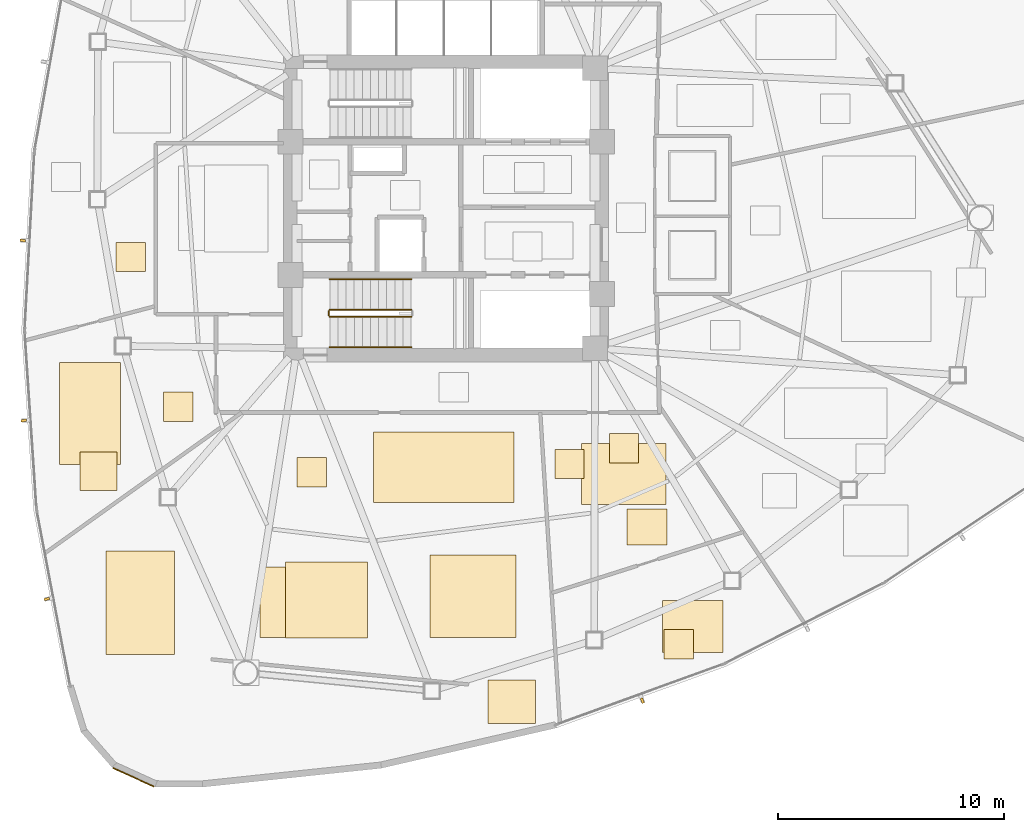
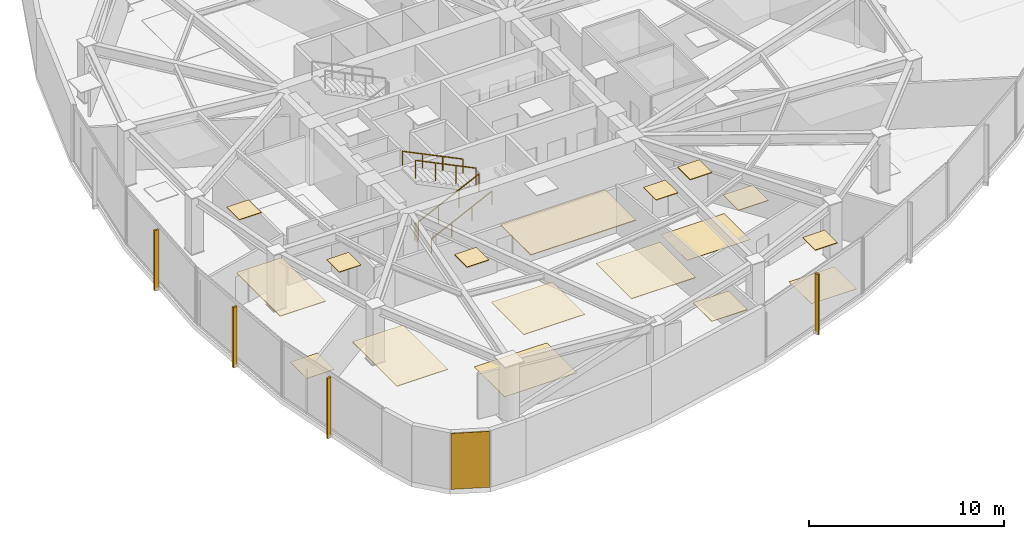
# One storey, part 14 of 17: 18 coverings, 5 railings, 4 shading devices.
"""IFC4 building model written with IfcOpenShell, lengths in metres."""

from ifc_helpers import new_model, si_unit, direction, frame, origin, origin_2d, place, context, subcontext, project, spatial, polyline, rectangle, outline, extrude, source, transform, mapped, material, layer, layer_set, type_object, type_shapes, element, save


model = new_model("IFC4")

# Units and contexts
model_context = context("Model", 3, precision=1e-05, world=origin(), true_north=direction((0.0, 1.0)))
body_context = subcontext(model_context, "Body", "Model", "MODEL_VIEW")
ifc_project = project(units=[si_unit("LENGTHUNIT", "METRE"), si_unit("AREAUNIT", "SQUARE_METRE"), si_unit("VOLUMEUNIT", "CUBIC_METRE"), si_unit("PLANEANGLEUNIT", "RADIAN"), si_unit("MASSUNIT", "GRAM", prefix="KILO")], contexts=[model_context])

# Site, building, storey
site_placement = place(None, origin())
site = spatial("IfcSite", under=ifc_project, at=site_placement, CompositionType="ELEMENT")
building_placement = place(site_placement, origin())
building = spatial("IfcBuilding", under=site, at=building_placement, Name="Tavelor Broadcast Tower", CompositionType="ELEMENT")
storey_placement = place(building_placement, frame((0.0, 0.0, 131.0)))
storey = spatial("IfcBuildingStorey", under=building, at=storey_placement, Name="L30", CompositionType="ELEMENT", Elevation=131.0)

# Covering
ifc_material_1 = material(Name="Copper-Bronze Anodized Aluminium", Category="aluminium")
ifc_layer_1 = layer(ifc_material_1, 0.050048828125)
ifc_layer_set_1 = layer_set([ifc_layer_1], Name="Copper-Bronze Anodized Aluminium")
covering_type_1 = type_object("IfcCoveringType", Name="Champagne-Bronze Corner Pier Metal Cladding 50 mm", PredefinedType="CLADDING", material=ifc_layer_set_1)
covering_1_placement = place(storey_placement, frame((36.15380859375, 19.7919921875, 0.02001953125), z_axis=(0.0, 0.0, 1.0), x_axis=(0.910322812467, -0.413898993841, 0.0)))
element("IfcCovering", 1, at=covering_1_placement, inside=storey, type_object=covering_type_1, Name="L30 Champagne-Bronze Corner Cladding 13", PredefinedType="CLADDING", context=body_context, shape_type="SweptSolid", body=[
    extrude(rectangle(XDim=1.993896484375, YDim=0.050048828125, at=origin_2d()), origin(), (0.0, 0.0, 1.0), 3.510009765625),
])

# Railings
ifc_material_2 = material(Name="Steel S355", Category="steel")
railing_type_1 = type_object("IfcRailingType", Name="Continuous Brushed Stainless Handrail 900 mm", PredefinedType="HANDRAIL", material=ifc_material_2)
railing_1_placement = place(storey_placement, frame((44.85009765625, 38.85009765625, 0.175048828125)))
element("IfcRailing", 2, at=railing_1_placement, inside=storey, type_object=railing_type_1, Name="L30 ST2 stair handrail 1", PredefinedType="HANDRAIL", context=body_context, shape_type="SweptSolid", body=[
    extrude(rectangle(XDim=0.048095703125, YDim=0.048095703125, at=origin_2d()), frame((0.0, 0.0, 0.8759765625), z_axis=(0.899360859046, 0.0, 0.437207096483), x_axis=(0.0, 1.0, 0.0)), (0.0, 0.0, 1.0), 4.002685546875),
    extrude(rectangle(XDim=0.0419921875, YDim=0.0419921875, at=origin_2d()), origin(), (0.0, 0.0, 1.0), 0.851806640625),
    extrude(rectangle(XDim=0.0419921875, YDim=0.0419921875, at=origin_2d()), frame((1.199951171875, 0.0, 0.583251953125)), (0.0, 0.0, 1.0), 0.851806640625),
    extrude(rectangle(XDim=0.0419921875, YDim=0.0419921875, at=origin_2d()), frame((2.39990234375, 0.0, 1.166748046875)), (0.0, 0.0, 1.0), 0.851806640625),
    extrude(rectangle(XDim=0.0419921875, YDim=0.0419921875, at=origin_2d()), frame((3.599853515625, 0.0, 1.75)), (0.0, 0.0, 1.0), 0.851806640625),
])
railing_2_placement = place(storey_placement, frame((48.449951171875, 41.85009765625, 2.10009765625)))
element("IfcRailing", 3, at=railing_2_placement, inside=storey, type_object=railing_type_1, Name="L30 ST2 stair handrail 2", PredefinedType="HANDRAIL", context=body_context, shape_type="SweptSolid", body=[
    extrude(rectangle(XDim=0.048095703125, YDim=0.048095703125, at=origin_2d()), frame((0.0, 0.0, 0.8759765625), z_axis=(-0.899360859046, 0.0, 0.437207096483), x_axis=(0.0, -1.0, 0.0)), (0.0, 0.0, 1.0), 4.002685546875),
    extrude(rectangle(XDim=0.0419921875, YDim=0.0419921875, at=origin_2d()), origin(), (0.0, 0.0, 1.0), 0.851806640625),
    extrude(rectangle(XDim=0.0419921875, YDim=0.0419921875, at=origin_2d()), frame((-1.199951171875, 0.0, 0.583251953125)), (0.0, 0.0, 1.0), 0.851806640625),
    extrude(rectangle(XDim=0.0419921875, YDim=0.0419921875, at=origin_2d()), frame((-2.39990234375, 0.0, 1.166748046875)), (0.0, 0.0, 1.0), 0.851806640625),
    extrude(rectangle(XDim=0.0419921875, YDim=0.0419921875, at=origin_2d()), frame((-3.599853515625, 0.0, 1.75)), (0.0, 0.0, 1.0), 0.851806640625),
])

# Coverings
ifc_material_3 = material(Name="Acoustic Nylon Carpet Tile")
ifc_layer_2 = layer(ifc_material_3, 0.02001953125)
ifc_layer_set_2 = layer_set([ifc_layer_2], Name="Acoustic Nylon Carpet Tile")
covering_type_2 = type_object("IfcCoveringType", Name="Heavy-Duty Acoustic Broadcast Carpet Tile 20 mm", PredefinedType="FLOORING", material=ifc_layer_set_2)
covering_2_placement = place(storey_placement, origin())
element("IfcCovering", 4, at=covering_2_placement, inside=storey, type_object=covering_type_2, Name="L30 Broadcast Floor Finish 0425", PredefinedType="FLOORING", context=body_context, shape_type="SweptSolid", body=[
    extrude(outline(polyline([(59.580078125, 25.3251953125), (62.260009765625, 25.3251953125), (62.260009765625, 27.614501953125), (59.580078125, 27.614501953125), (59.580078125, 25.3251953125)])), origin(), (0.0, 0.0, 1.0), 0.02001953125),
])
covering_3_placement = place(storey_placement, origin())
element("IfcCovering", 5, at=covering_3_placement, inside=storey, type_object=covering_type_2, Name="L30 Broadcast Floor Finish 0426", PredefinedType="FLOORING", context=body_context, shape_type="SweptSolid", body=[
    extrude(outline(polyline([(41.755859375, 25.99462890625), (46.07421875, 25.99462890625), (46.07421875, 29.103759765625), (41.755859375, 29.103759765625), (41.755859375, 25.99462890625)])), origin(), (0.0, 0.0, 1.0), 0.02001953125),
])
covering_4_placement = place(storey_placement, origin())
element("IfcCovering", 6, at=covering_4_placement, inside=storey, type_object=covering_type_2, Name="L30 Broadcast Floor Finish 0427", PredefinedType="FLOORING", context=body_context, shape_type="SweptSolid", body=[
    extrude(outline(polyline([(33.7841796875, 32.49853515625), (35.410400390625, 32.49853515625), (35.410400390625, 34.20263671875), (33.7841796875, 34.20263671875), (33.7841796875, 32.49853515625)])), origin(), (0.0, 0.0, 1.0), 0.02001953125),
])
covering_5_placement = place(storey_placement, origin())
element("IfcCovering", 7, at=covering_5_placement, inside=storey, type_object=covering_type_2, Name="L30 Broadcast Floor Finish 0432", PredefinedType="FLOORING", context=body_context, shape_type="SweptSolid", body=[
    extrude(outline(polyline([(55.988037109375, 31.8876953125), (59.751708984375, 31.8876953125), (59.751708984375, 34.5693359375), (55.988037109375, 34.5693359375), (55.988037109375, 31.8876953125)])), origin(), (0.0, 0.0, 1.0), 0.02001953125),
])

# Railings
railing_type_2 = type_object("IfcRailingType", Name="Stairwell Steel Safety Guardrail 1150 mm", PredefinedType="GUARDRAIL", material=ifc_material_2)
railing_3_placement = place(storey_placement, frame((44.85009765625, 40.199951171875, 0.175048828125)))
element("IfcRailing", 8, at=railing_3_placement, inside=storey, type_object=railing_type_2, Name="L30 ST2 stair guard 1", PredefinedType="GUARDRAIL", context=body_context, shape_type="SweptSolid", body=[
    extrude(rectangle(XDim=0.048095703125, YDim=0.048095703125, at=origin_2d()), frame((0.0, 0.0, 1.1259765625), z_axis=(0.899360859046, 0.0, 0.437207096483), x_axis=(0.0, 1.0, 0.0)), (0.0, 0.0, 1.0), 4.002685546875),
    extrude(rectangle(XDim=0.0419921875, YDim=0.0419921875, at=origin_2d()), origin(), (0.0, 0.0, 1.0), 1.101806640625),
    extrude(rectangle(XDim=0.0419921875, YDim=0.0419921875, at=origin_2d()), frame((1.199951171875, 0.0, 0.583251953125)), (0.0, 0.0, 1.0), 1.101806640625),
    extrude(rectangle(XDim=0.0419921875, YDim=0.0419921875, at=origin_2d()), frame((2.39990234375, 0.0, 1.166748046875)), (0.0, 0.0, 1.0), 1.101806640625),
    extrude(rectangle(XDim=0.0419921875, YDim=0.0419921875, at=origin_2d()), frame((3.599853515625, 0.0, 1.75)), (0.0, 0.0, 1.0), 1.101806640625),
])
railing_4_placement = place(storey_placement, frame((48.449951171875, 40.5, 2.10009765625)))
element("IfcRailing", 9, at=railing_4_placement, inside=storey, type_object=railing_type_2, Name="L30 ST2 stair guard 3", PredefinedType="GUARDRAIL", context=body_context, shape_type="SweptSolid", body=[
    extrude(rectangle(XDim=0.048095703125, YDim=0.048095703125, at=origin_2d()), frame((0.0, 0.0, 1.1259765625), z_axis=(-0.899360859046, 0.0, 0.437207096483), x_axis=(0.0, -1.0, 0.0)), (0.0, 0.0, 1.0), 4.002685546875),
    extrude(rectangle(XDim=0.0419921875, YDim=0.0419921875, at=origin_2d()), origin(), (0.0, 0.0, 1.0), 1.101806640625),
    extrude(rectangle(XDim=0.0419921875, YDim=0.0419921875, at=origin_2d()), frame((-1.199951171875, 0.0, 0.583251953125)), (0.0, 0.0, 1.0), 1.101806640625),
    extrude(rectangle(XDim=0.0419921875, YDim=0.0419921875, at=origin_2d()), frame((-2.39990234375, 0.0, 1.166748046875)), (0.0, 0.0, 1.0), 1.101806640625),
    extrude(rectangle(XDim=0.0419921875, YDim=0.0419921875, at=origin_2d()), frame((-3.599853515625, 0.0, 1.75)), (0.0, 0.0, 1.0), 1.101806640625),
])
railing_5_placement = place(storey_placement, frame((44.800048828125, 40.25, 0.0)))
element("IfcRailing", 10, at=railing_5_placement, inside=storey, type_object=railing_type_2, Name="L30 ST2 stair guard 4", PredefinedType="GUARDRAIL", context=body_context, shape_type="SweptSolid", body=[
    extrude(rectangle(XDim=0.048095703125, YDim=0.048095703125, at=origin_2d()), frame((0.0, 0.0, 1.1259765625), z_axis=(0.0, 1.0, 0.0), x_axis=(-1.0, 0.0, 0.0)), (0.0, 0.0, 1.0), 0.199951171875),
    extrude(rectangle(XDim=0.0419921875, YDim=0.0419921875, at=origin_2d()), origin(), (0.0, 0.0, 1.0), 1.101806640625),
    extrude(rectangle(XDim=0.0419921875, YDim=0.0419921875, at=origin_2d()), frame((0.0, 0.199951171875, 0.0)), (0.0, 0.0, 1.0), 1.101806640625),
])

# Coverings
ifc_material_4 = material(Name="Acoustic Mineral Fibre Tile")
ifc_layer_3 = layer(ifc_material_4, 0.0400390625)
ifc_layer_set_3 = layer_set([ifc_layer_3], Name="Acoustic Mineral Fibre Tile")
covering_type_3 = type_object("IfcCoveringType", Name="Suspended Acoustic Mineral-Fibre Office Ceiling 40 mm", PredefinedType="CEILING", material=ifc_layer_set_3)
covering_6_placement = place(storey_placement, frame((0.0, 0.0, 3.510009765625)))
element("IfcCovering", 11, at=covering_6_placement, inside=storey, type_object=covering_type_3, Name="L30 Suspended Acoustic Ceiling 1200", PredefinedType="CEILING", context=body_context, shape_type="SweptSolid", body=[
    extrude(outline(polyline([(59.65087890625, 25.038330078125), (60.950927734375, 25.038330078125), (60.950927734375, 26.33837890625), (59.65087890625, 26.33837890625), (59.65087890625, 25.038330078125)])), origin(), (0.0, 0.0, 1.0), 0.0400390625),
])
covering_7_placement = place(storey_placement, frame((0.0, 0.0, 3.510009765625)))
element("IfcCovering", 12, at=covering_7_placement, inside=storey, type_object=covering_type_3, Name="L30 Suspended Acoustic Ceiling 1201", PredefinedType="CEILING", context=body_context, shape_type="SweptSolid", body=[
    extrude(outline(polyline([(34.9345703125, 25.22509765625), (37.95947265625, 25.22509765625), (37.95947265625, 29.8203125), (34.9345703125, 29.8203125), (34.9345703125, 25.22509765625)])), origin(), (0.0, 0.0, 1.0), 0.0400390625),
])
covering_8_placement = place(storey_placement, frame((0.0, 0.0, 3.510009765625)))
element("IfcCovering", 13, at=covering_8_placement, inside=storey, type_object=covering_type_3, Name="L30 Suspended Acoustic Ceiling 1202", PredefinedType="CEILING", context=body_context, shape_type="SweptSolid", body=[
    extrude(outline(polyline([(43.39013671875, 32.662353515625), (44.690185546875, 32.662353515625), (44.690185546875, 33.96240234375), (43.39013671875, 33.96240234375), (43.39013671875, 32.662353515625)])), origin(), (0.0, 0.0, 1.0), 0.0400390625),
])
covering_9_placement = place(storey_placement, frame((0.0, 0.0, 3.510009765625)))
element("IfcCovering", 14, at=covering_9_placement, inside=storey, type_object=covering_type_3, Name="L30 Suspended Acoustic Ceiling 1203", PredefinedType="CEILING", context=body_context, shape_type="SweptSolid", body=[
    extrude(outline(polyline([(46.772216796875, 31.96875), (53.010498046875, 31.96875), (53.010498046875, 35.09521484375), (46.772216796875, 35.09521484375), (46.772216796875, 31.96875)])), origin(), (0.0, 0.0, 1.0), 0.0400390625),
])
covering_10_placement = place(storey_placement, frame((0.0, 0.0, 3.510009765625)))
element("IfcCovering", 15, at=covering_10_placement, inside=storey, type_object=covering_type_3, Name="L30 Suspended Acoustic Ceiling 1204", PredefinedType="CEILING", context=body_context, shape_type="SweptSolid", body=[
    extrude(outline(polyline([(49.29248046875, 25.986083984375), (53.099365234375, 25.986083984375), (53.099365234375, 29.63671875), (49.29248046875, 29.63671875), (49.29248046875, 25.986083984375)])), origin(), (0.0, 0.0, 1.0), 0.0400390625),
])
covering_11_placement = place(storey_placement, frame((0.0, 0.0, 3.510009765625)))
element("IfcCovering", 16, at=covering_11_placement, inside=storey, type_object=covering_type_3, Name="L30 Suspended Acoustic Ceiling 1205", PredefinedType="CEILING", context=body_context, shape_type="SweptSolid", body=[
    extrude(outline(polyline([(51.84814453125, 22.16796875), (53.9638671875, 22.16796875), (53.9638671875, 24.096923828125), (51.84814453125, 24.096923828125), (51.84814453125, 22.16796875)])), origin(), (0.0, 0.0, 1.0), 0.0400390625),
])
covering_12_placement = place(storey_placement, frame((0.0, 0.0, 3.510009765625)))
element("IfcCovering", 17, at=covering_12_placement, inside=storey, type_object=covering_type_3, Name="L30 Suspended Acoustic Ceiling 1206", PredefinedType="CEILING", context=body_context, shape_type="SweptSolid", body=[
    extrude(outline(polyline([(42.89306640625, 25.97314453125), (46.523193359375, 25.97314453125), (46.523193359375, 29.3203125), (42.89306640625, 29.3203125), (42.89306640625, 25.97314453125)])), origin(), (0.0, 0.0, 1.0), 0.0400390625),
])
covering_13_placement = place(storey_placement, frame((0.0, 0.0, 3.510009765625)))
element("IfcCovering", 18, at=covering_13_placement, inside=storey, type_object=covering_type_3, Name="L30 Suspended Acoustic Ceiling 1207", PredefinedType="CEILING", context=body_context, shape_type="SweptSolid", body=[
    extrude(outline(polyline([(32.873046875, 33.65771484375), (35.583740234375, 33.65771484375), (35.583740234375, 38.164794921875), (32.873046875, 38.164794921875), (32.873046875, 33.65771484375)])), origin(), (0.0, 0.0, 1.0), 0.0400390625),
])
covering_14_placement = place(storey_placement, frame((0.0, 0.0, 3.510009765625)))
element("IfcCovering", 19, at=covering_14_placement, inside=storey, type_object=covering_type_3, Name="L30 Suspended Acoustic Ceiling 1208", PredefinedType="CEILING", context=body_context, shape_type="SweptSolid", body=[
    extrude(outline(polyline([(37.4755859375, 35.554443359375), (38.775634765625, 35.554443359375), (38.775634765625, 36.8544921875), (37.4755859375, 36.8544921875), (37.4755859375, 35.554443359375)])), origin(), (0.0, 0.0, 1.0), 0.0400390625),
])
covering_15_placement = place(storey_placement, frame((0.0, 0.0, 3.510009765625)))
element("IfcCovering", 20, at=covering_15_placement, inside=storey, type_object=covering_type_3, Name="L30 Suspended Acoustic Ceiling 1211", PredefinedType="CEILING", context=body_context, shape_type="SweptSolid", body=[
    extrude(outline(polyline([(35.3818359375, 42.193115234375), (36.681884765625, 42.193115234375), (36.681884765625, 43.4931640625), (35.3818359375, 43.4931640625), (35.3818359375, 42.193115234375)])), origin(), (0.0, 0.0, 1.0), 0.0400390625),
])
covering_16_placement = place(storey_placement, frame((0.0, 0.0, 3.510009765625)))
element("IfcCovering", 21, at=covering_16_placement, inside=storey, type_object=covering_type_3, Name="L30 Suspended Acoustic Ceiling 1233", PredefinedType="CEILING", context=body_context, shape_type="SweptSolid", body=[
    extrude(outline(polyline([(58.010986328125, 30.0927734375), (59.7939453125, 30.0927734375), (59.7939453125, 31.68603515625), (58.010986328125, 31.68603515625), (58.010986328125, 30.0927734375)])), origin(), (0.0, 0.0, 1.0), 0.0400390625),
])
covering_17_placement = place(storey_placement, frame((0.0, 0.0, 3.510009765625)))
element("IfcCovering", 22, at=covering_17_placement, inside=storey, type_object=covering_type_3, Name="L30 Suspended Acoustic Ceiling 1234", PredefinedType="CEILING", context=body_context, shape_type="SweptSolid", body=[
    extrude(outline(polyline([(54.813720703125, 33.01953125), (56.113525390625, 33.01953125), (56.113525390625, 34.319580078125), (54.813720703125, 34.319580078125), (54.813720703125, 33.01953125)])), origin(), (0.0, 0.0, 1.0), 0.0400390625),
])
covering_18_placement = place(storey_placement, frame((0.0, 0.0, 3.510009765625)))
element("IfcCovering", 23, at=covering_18_placement, inside=storey, type_object=covering_type_3, Name="L30 Suspended Acoustic Ceiling 1235", PredefinedType="CEILING", context=body_context, shape_type="SweptSolid", body=[
    extrude(outline(polyline([(57.23193359375, 33.720703125), (58.531982421875, 33.720703125), (58.531982421875, 35.0205078125), (57.23193359375, 35.0205078125), (57.23193359375, 33.720703125)])), origin(), (0.0, 0.0, 1.0), 0.0400390625),
])

# Shading devices
ifc_material_5 = material(Name="Kiln-Fired Glazed Terracotta", Category="masonry")
shading_device_type = type_object("IfcShadingDeviceType", Name="Extruded Terracotta Baguette Sun-Screen 110x240", PredefinedType="JALOUSIE", material=ifc_material_5)
shared_shape = source(origin(), body_context, "Body", "SweptSolid", [
    extrude(rectangle(XDim=0.110107421875, YDim=0.239990234375, at=origin_2d()), origin(), (0.0, 0.0, 1.0), 3.7900390625),
])
type_shapes(shading_device_type, [shared_shape])
for number, where, z_axis, x_axis, name in (
    (24, (31.2451171875, 43.572509765625, -0.260009765625), (0.0, 0.0, 1.0), (-0.054427364735, -0.998517732425, 0.0), "L30 Terracotta Baguette Fin 290"),
    (25, (31.2939453125, 35.597900390625, -0.260009765625), (0.0, 0.0, 1.0), (0.066796338919, -0.997766630584, 0.0), "L30 Terracotta Baguette Fin 291"),
    (26, (32.307373046875, 27.6875, -0.260009765625), (0.0, 0.0, 1.0), (0.187038420242, -0.982352599301, 0.0), "L30 Terracotta Baguette Fin 292"),
    (27, (58.694580078125, 23.186767578125, -0.260009765625), (0.0, 0.0, 1.0), (0.94016925485, 0.340707751944, 0.0), "L30 Terracotta Baguette Fin 293"),
):
    element("IfcShadingDevice", number, at=place(storey_placement, frame(where, z_axis=z_axis, x_axis=x_axis)), inside=storey, type_object=shading_device_type, Name=name, PredefinedType="JALOUSIE", context=body_context, shape_type="MappedRepresentation", body=[
        mapped(shared_shape, transform((0.0, 0.0, 0.0), scale=1.0)),
    ])

save(model, "model.ifc")
